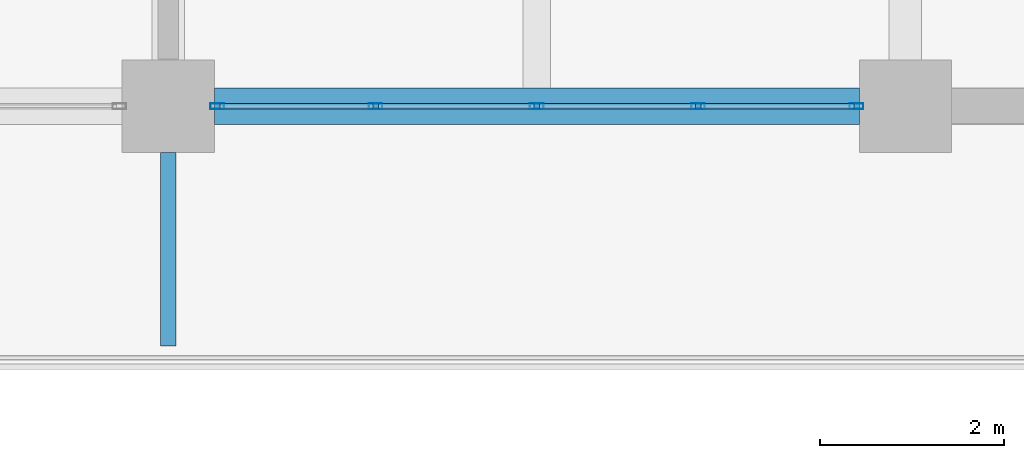
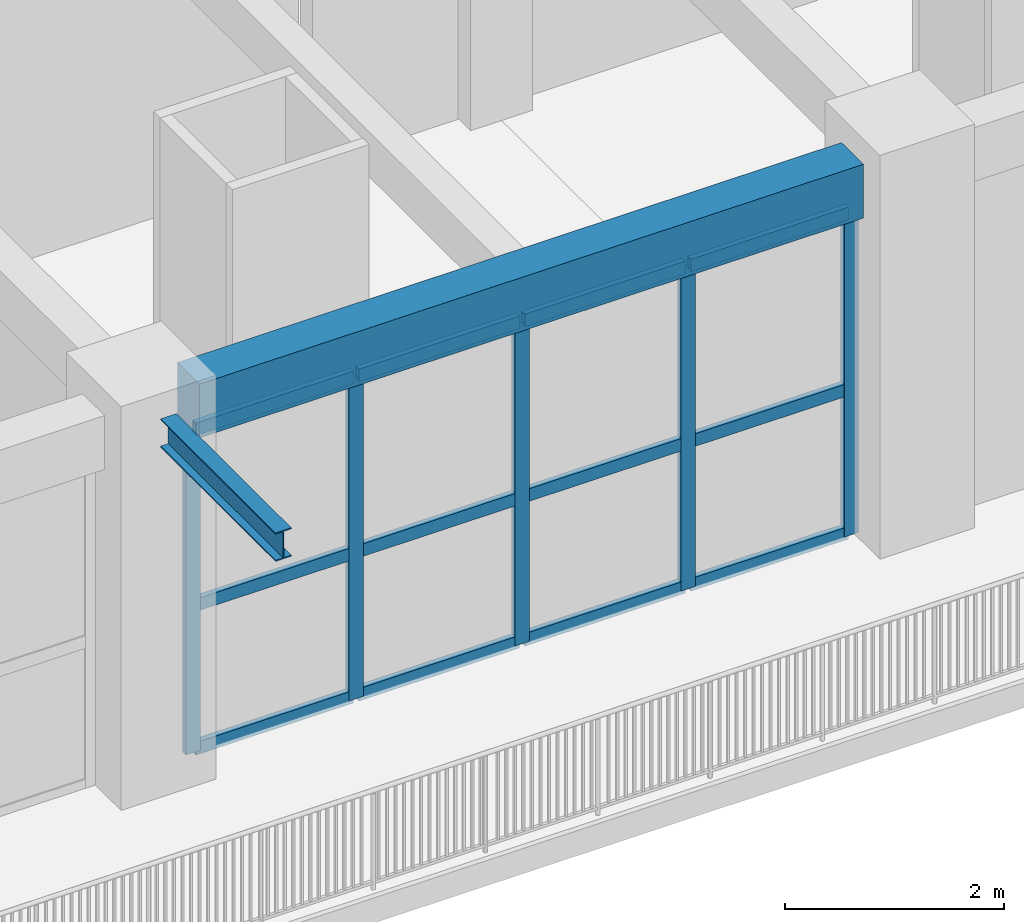
# One storey, part 22 of 79: 17 members, 2 beams, 1 element without a shape of its own.
"""IFC4 building model written with IfcOpenShell, lengths in metres."""

from ifc_helpers import new_model, si_unit, direction, frame, origin, origin_2d, place, context, subcontext, project, spatial, rectangle, hollow_rectangle, i_section, extrude, material, material_profile, profile_set, type_object, element, aggregate, save


model = new_model("IFC4")

# Units and contexts
model_context = context("Model", 3, precision=1e-05, world=origin(), true_north=direction((0.0, 1.0)))
body_context = subcontext(model_context, "Body", "Model", "MODEL_VIEW")
ifc_project = project(units=[si_unit("LENGTHUNIT", "METRE"), si_unit("AREAUNIT", "SQUARE_METRE"), si_unit("VOLUMEUNIT", "CUBIC_METRE"), si_unit("PLANEANGLEUNIT", "RADIAN"), si_unit("MASSUNIT", "GRAM", prefix="KILO")], contexts=[model_context])

# Site, building, storey
site_placement = place(None, origin())
site = spatial("IfcSite", under=ifc_project, at=site_placement, CompositionType="ELEMENT")
building_placement = place(site_placement, origin())
building = spatial("IfcBuilding", under=site, at=building_placement, Name="Zantavel Square City Hall", CompositionType="ELEMENT")
storey_placement = place(building_placement, frame((0.0, 0.0, 10.199951171875)))
storey = spatial("IfcBuildingStorey", under=building, at=storey_placement, Name="L03", CompositionType="ELEMENT", Elevation=10.199951171875)

# Curtain wall, members
ifc_material_1 = material(Name="Anodised aluminium 6063-T6", Category="aluminium")
curtain_wall_type = type_object("IfcCurtainWallType", Name="Curtain Wall TRV1 7000x3620", PredefinedType="USERDEFINED", material=ifc_material_1)
curtain_wall_placement = place(storey_placement, origin())
curtain_wall = element("IfcCurtainWall", 1, at=curtain_wall_placement, inside=storey, type_object=curtain_wall_type, Name="L03 Glazed Curtain Wall CW-L03-097", ObjectType="GLAZED CURTAIN WALL", PredefinedType="USERDEFINED")
ifc_material_profile_1 = material_profile(ifc_material_1, hollow_rectangle(XDim=0.06494140625, YDim=0.14990234375, WallThickness=0.00390625, at=origin_2d()), Name="ALU 65x150x4")
ifc_profile_set_1 = profile_set([ifc_material_profile_1], Name="Anodised aluminium 6063-T6")
member_type_1 = type_object("IfcMemberType", Name="CW Mullion ALU 65x150x4", PredefinedType="MULLION", material=ifc_profile_set_1)
member_1_placement = place(storey_placement, frame((79.469970703125, 30.39990234375, 0.0), z_axis=(0.0, 0.0, 1.0), x_axis=(0.0, -1.0, 0.0)))
member_1 = element("IfcMember", 2, at=member_1_placement, type_object=member_type_1, Name="CW-097 mullion 1", PredefinedType="MULLION", context=body_context, shape_type="SweptSolid", body=[
    extrude(hollow_rectangle(XDim=0.06494140625, YDim=0.14990234375, WallThickness=0.00390625, at=origin_2d()), origin(), (0.0, 0.0, 1.0), 3.6201171875),
])
member_2_placement = place(storey_placement, frame((77.75, 30.39990234375, 0.0), z_axis=(0.0, 0.0, 1.0), x_axis=(0.0, -1.0, 0.0)))
member_2 = element("IfcMember", 3, at=member_2_placement, type_object=member_type_1, Name="CW-097 mullion 2", PredefinedType="MULLION", context=body_context, shape_type="SweptSolid", body=[
    extrude(hollow_rectangle(XDim=0.06494140625, YDim=0.14990234375, WallThickness=0.00390625, at=origin_2d()), origin(), (0.0, 0.0, 1.0), 3.6201171875),
])
member_3_placement = place(storey_placement, frame((76.0, 30.39990234375, 0.0), z_axis=(0.0, 0.0, 1.0), x_axis=(0.0, -1.0, 0.0)))
member_3 = element("IfcMember", 4, at=member_3_placement, type_object=member_type_1, Name="CW-097 mullion 3", PredefinedType="MULLION", context=body_context, shape_type="SweptSolid", body=[
    extrude(hollow_rectangle(XDim=0.06494140625, YDim=0.14990234375, WallThickness=0.00390625, at=origin_2d()), origin(), (0.0, 0.0, 1.0), 3.6201171875),
])
member_4_placement = place(storey_placement, frame((74.25, 30.39990234375, 0.0), z_axis=(0.0, 0.0, 1.0), x_axis=(0.0, -1.0, 0.0)))
member_4 = element("IfcMember", 5, at=member_4_placement, type_object=member_type_1, Name="CW-097 mullion 4", PredefinedType="MULLION", context=body_context, shape_type="SweptSolid", body=[
    extrude(hollow_rectangle(XDim=0.06494140625, YDim=0.14990234375, WallThickness=0.00390625, at=origin_2d()), origin(), (0.0, 0.0, 1.0), 3.6201171875),
])
member_5_placement = place(storey_placement, frame((72.530029296875, 30.39990234375, 0.0), z_axis=(0.0, 0.0, 1.0), x_axis=(0.0, -1.0, 0.0)))
member_5 = element("IfcMember", 6, at=member_5_placement, type_object=member_type_1, Name="CW-097 mullion 5", PredefinedType="MULLION", context=body_context, shape_type="SweptSolid", body=[
    extrude(hollow_rectangle(XDim=0.06494140625, YDim=0.14990234375, WallThickness=0.00390625, at=origin_2d()), origin(), (0.0, 0.0, 1.0), 3.6201171875),
])
ifc_material_profile_2 = material_profile(ifc_material_1, hollow_rectangle(XDim=0.06005859375, YDim=0.139892578125, WallThickness=0.00390625, at=origin_2d()), Name="ALU 60x140x4")
ifc_profile_set_2 = profile_set([ifc_material_profile_2], Name="Anodised aluminium 6063-T6")
member_type_2 = type_object("IfcMemberType", Name="CW Transom ALU 60x140x4", PredefinedType="USERDEFINED", material=ifc_profile_set_2)
member_6_placement = place(storey_placement, frame((79.43994140625, 30.39990234375, 0.030029296875), z_axis=(-1.0, 0.0, 0.0), x_axis=(0.0, -1.0, 0.0)))
member_6 = element("IfcMember", 7, at=member_6_placement, type_object=member_type_2, Name="CW-097 transom 1.1", ObjectType="TRANSOM", PredefinedType="USERDEFINED", context=body_context, shape_type="SweptSolid", body=[
    extrude(hollow_rectangle(XDim=0.06005859375, YDim=0.139892578125, WallThickness=0.00390625, at=origin_2d()), origin(), (0.0, 0.0, 1.0), 1.659912109375),
])
member_7_placement = place(storey_placement, frame((79.43994140625, 30.39990234375, 1.629150390625), z_axis=(-1.0, 0.0, 0.0), x_axis=(0.0, -1.0, 0.0)))
member_7 = element("IfcMember", 8, at=member_7_placement, type_object=member_type_2, Name="CW-097 transom 1.2", ObjectType="TRANSOM", PredefinedType="USERDEFINED", context=body_context, shape_type="SweptSolid", body=[
    extrude(hollow_rectangle(XDim=0.06005859375, YDim=0.139892578125, WallThickness=0.00390625, at=origin_2d()), origin(), (0.0, 0.0, 1.0), 1.659912109375),
])
member_8_placement = place(storey_placement, frame((79.43994140625, 30.39990234375, 3.590087890625), z_axis=(-1.0, 0.0, 0.0), x_axis=(0.0, -1.0, 0.0)))
member_8 = element("IfcMember", 9, at=member_8_placement, type_object=member_type_2, Name="CW-097 transom 1.3", ObjectType="TRANSOM", PredefinedType="USERDEFINED", context=body_context, shape_type="SweptSolid", body=[
    extrude(hollow_rectangle(XDim=0.06005859375, YDim=0.139892578125, WallThickness=0.00390625, at=origin_2d()), origin(), (0.0, 0.0, 1.0), 1.659912109375),
])
member_9_placement = place(storey_placement, frame((77.719970703125, 30.39990234375, 0.030029296875), z_axis=(-1.0, 0.0, 0.0), x_axis=(0.0, -1.0, 0.0)))
member_9 = element("IfcMember", 10, at=member_9_placement, type_object=member_type_2, Name="CW-097 transom 2.1", ObjectType="TRANSOM", PredefinedType="USERDEFINED", context=body_context, shape_type="SweptSolid", body=[
    extrude(hollow_rectangle(XDim=0.06005859375, YDim=0.139892578125, WallThickness=0.00390625, at=origin_2d()), origin(), (0.0, 0.0, 1.0), 1.68994140625),
])
member_10_placement = place(storey_placement, frame((77.719970703125, 30.39990234375, 1.629150390625), z_axis=(-1.0, 0.0, 0.0), x_axis=(0.0, -1.0, 0.0)))
member_10 = element("IfcMember", 11, at=member_10_placement, type_object=member_type_2, Name="CW-097 transom 2.2", ObjectType="TRANSOM", PredefinedType="USERDEFINED", context=body_context, shape_type="SweptSolid", body=[
    extrude(hollow_rectangle(XDim=0.06005859375, YDim=0.139892578125, WallThickness=0.00390625, at=origin_2d()), origin(), (0.0, 0.0, 1.0), 1.68994140625),
])
member_11_placement = place(storey_placement, frame((77.719970703125, 30.39990234375, 3.590087890625), z_axis=(-1.0, 0.0, 0.0), x_axis=(0.0, -1.0, 0.0)))
member_11 = element("IfcMember", 12, at=member_11_placement, type_object=member_type_2, Name="CW-097 transom 2.3", ObjectType="TRANSOM", PredefinedType="USERDEFINED", context=body_context, shape_type="SweptSolid", body=[
    extrude(hollow_rectangle(XDim=0.06005859375, YDim=0.139892578125, WallThickness=0.00390625, at=origin_2d()), origin(), (0.0, 0.0, 1.0), 1.68994140625),
])
member_12_placement = place(storey_placement, frame((75.969970703125, 30.39990234375, 0.030029296875), z_axis=(-1.0, 0.0, 0.0), x_axis=(0.0, -1.0, 0.0)))
member_12 = element("IfcMember", 13, at=member_12_placement, type_object=member_type_2, Name="CW-097 transom 3.1", ObjectType="TRANSOM", PredefinedType="USERDEFINED", context=body_context, shape_type="SweptSolid", body=[
    extrude(hollow_rectangle(XDim=0.06005859375, YDim=0.139892578125, WallThickness=0.00390625, at=origin_2d()), origin(), (0.0, 0.0, 1.0), 1.68994140625),
])
member_13_placement = place(storey_placement, frame((75.969970703125, 30.39990234375, 1.629150390625), z_axis=(-1.0, 0.0, 0.0), x_axis=(0.0, -1.0, 0.0)))
member_13 = element("IfcMember", 14, at=member_13_placement, type_object=member_type_2, Name="CW-097 transom 3.2", ObjectType="TRANSOM", PredefinedType="USERDEFINED", context=body_context, shape_type="SweptSolid", body=[
    extrude(hollow_rectangle(XDim=0.06005859375, YDim=0.139892578125, WallThickness=0.00390625, at=origin_2d()), origin(), (0.0, 0.0, 1.0), 1.68994140625),
])
member_14_placement = place(storey_placement, frame((75.969970703125, 30.39990234375, 3.590087890625), z_axis=(-1.0, 0.0, 0.0), x_axis=(0.0, -1.0, 0.0)))
member_14 = element("IfcMember", 15, at=member_14_placement, type_object=member_type_2, Name="CW-097 transom 3.3", ObjectType="TRANSOM", PredefinedType="USERDEFINED", context=body_context, shape_type="SweptSolid", body=[
    extrude(hollow_rectangle(XDim=0.06005859375, YDim=0.139892578125, WallThickness=0.00390625, at=origin_2d()), origin(), (0.0, 0.0, 1.0), 1.68994140625),
])
member_15_placement = place(storey_placement, frame((74.219970703125, 30.39990234375, 0.030029296875), z_axis=(-1.0, 0.0, 0.0), x_axis=(0.0, -1.0, 0.0)))
member_15 = element("IfcMember", 16, at=member_15_placement, type_object=member_type_2, Name="CW-097 transom 4.1", ObjectType="TRANSOM", PredefinedType="USERDEFINED", context=body_context, shape_type="SweptSolid", body=[
    extrude(hollow_rectangle(XDim=0.06005859375, YDim=0.139892578125, WallThickness=0.00390625, at=origin_2d()), origin(), (0.0, 0.0, 1.0), 1.659912109375),
])
member_16_placement = place(storey_placement, frame((74.219970703125, 30.39990234375, 1.629150390625), z_axis=(-1.0, 0.0, 0.0), x_axis=(0.0, -1.0, 0.0)))
member_16 = element("IfcMember", 17, at=member_16_placement, type_object=member_type_2, Name="CW-097 transom 4.2", ObjectType="TRANSOM", PredefinedType="USERDEFINED", context=body_context, shape_type="SweptSolid", body=[
    extrude(hollow_rectangle(XDim=0.06005859375, YDim=0.139892578125, WallThickness=0.00390625, at=origin_2d()), origin(), (0.0, 0.0, 1.0), 1.659912109375),
])
member_17_placement = place(storey_placement, frame((74.219970703125, 30.39990234375, 3.590087890625), z_axis=(-1.0, 0.0, 0.0), x_axis=(0.0, -1.0, 0.0)))
member_17 = element("IfcMember", 18, at=member_17_placement, type_object=member_type_2, Name="CW-097 transom 4.3", ObjectType="TRANSOM", PredefinedType="USERDEFINED", context=body_context, shape_type="SweptSolid", body=[
    extrude(hollow_rectangle(XDim=0.06005859375, YDim=0.139892578125, WallThickness=0.00390625, at=origin_2d()), origin(), (0.0, 0.0, 1.0), 1.659912109375),
])
aggregate(curtain_wall, [member_1, member_2, member_3, member_4, member_5, member_6, member_7, member_8, member_9, member_10, member_11, member_12, member_13, member_14, member_15, member_16, member_17])

# Beams
ifc_material_2 = material(Name="Concrete C35/45", Category="concrete")
ifc_material_profile_3 = material_profile(ifc_material_2, rectangle(XDim=0.39990234375, YDim=0.60009765625, at=origin_2d()), Name="RC 400x600")
ifc_profile_set_3 = profile_set([ifc_material_profile_3], Name="Concrete C35/45")
beam_type_1 = type_object("IfcBeamType", Name="Perimeter Spandrel RC 400x600 C35/45", PredefinedType="SPANDREL", material=ifc_profile_set_3)
beam_1_placement = place(storey_placement, frame((72.5, 30.39990234375, 3.920166015625), z_axis=(1.0, 0.0, 0.0), x_axis=(0.0, 1.0, 0.0)))
element("IfcBeam", 19, at=beam_1_placement, inside=storey, type_object=beam_type_1, Name="L03 Girder BMX-L03-0720-0304", PredefinedType="SPANDREL", context=body_context, shape_type="SweptSolid", body=[
    extrude(rectangle(XDim=0.39990234375, YDim=0.60009765625, at=origin_2d()), origin(), (0.0, 0.0, 1.0), 7.0),
])
ifc_material_3 = material(Name="Steel ASTM A992 Grade 50", Category="steel")
ifc_material_profile_4 = material_profile(ifc_material_3, i_section(OverallWidth=0.1669921875, OverallDepth=0.31689453125, WebThickness=0.007568359375, FlangeThickness=0.01318359375, at=origin_2d()), Name="W310x52")
ifc_profile_set_4 = profile_set([ifc_material_profile_4], Name="Steel ASTM A992 Grade 50")
beam_type_2 = type_object("IfcBeamType", Name="Tray Corner Cantilever Outrigger W310x52", PredefinedType="BEAM", material=ifc_profile_set_4)
beam_2_placement = place(storey_placement, frame((72.0, 29.89990234375, 4.0615234375), z_axis=(0.0, -1.0, 0.0), x_axis=(1.0, 0.0, 0.0)))
element("IfcBeam", 20, at=beam_2_placement, inside=storey, type_object=beam_type_2, Name="L03 Cantera Tray Outrigger S72", PredefinedType="BEAM", context=body_context, shape_type="SweptSolid", body=[
    extrude(i_section(OverallWidth=0.1669921875, OverallDepth=0.31689453125, WebThickness=0.007568359375, FlangeThickness=0.01318359375, at=origin_2d()), origin(), (0.0, 0.0, 1.0), 2.099853515625),
])

save(model, "model.ifc")
